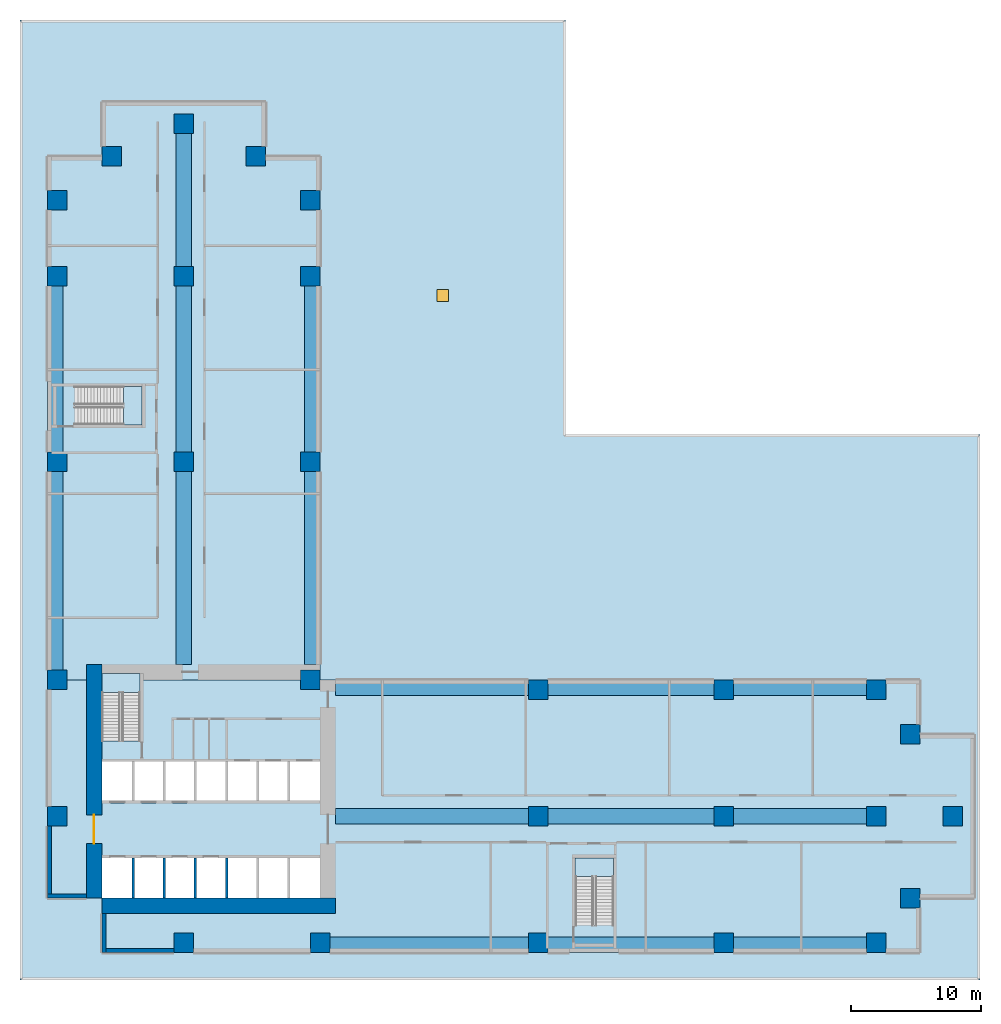
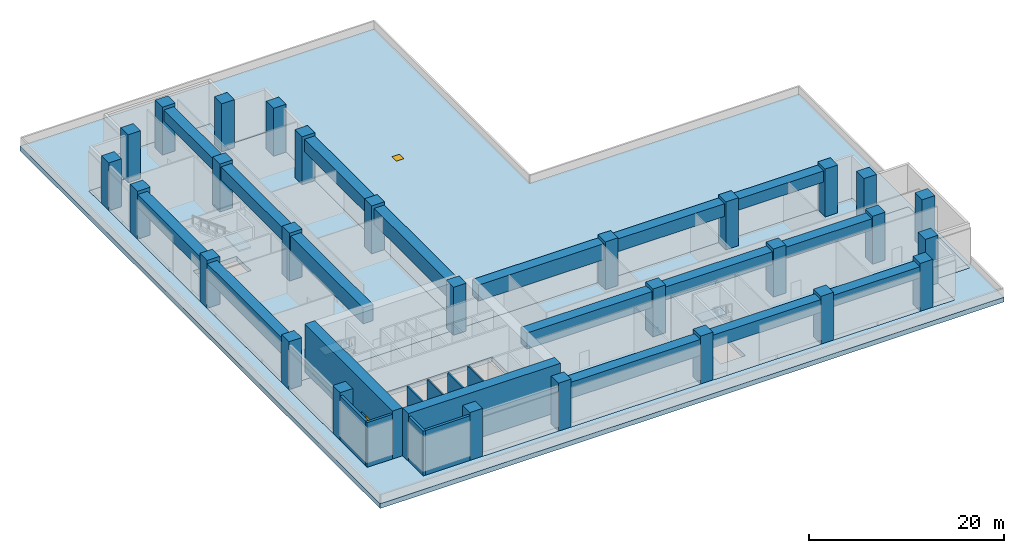
# One storey, part 1 of 11: 28 columns, 16 beams, 10 walls, 6 slabs, 1 door, 1 window, 2 openings, 3 elements without a shape of their own.
"""IFC4 building model written with IfcOpenShell, lengths in metres."""

from ifc_helpers import new_model, si_unit, direction, frame, frame_2d, origin, origin_2d, place, context, subcontext, project, spatial, polyline, rectangle, outline, extrude, source, transform, mapped, material, layer, layer_set, material_profile, profile_set, type_object, element, fill, aggregate, save


model = new_model("IFC4")

# Units and contexts
model_context = context("Model", 3, precision=1e-05, world=origin(), true_north=direction((0.0, 1.0)))
body_context = subcontext(model_context, "Body", "Model", "MODEL_VIEW")
ifc_project = project(units=[si_unit("LENGTHUNIT", "METRE"), si_unit("AREAUNIT", "SQUARE_METRE"), si_unit("VOLUMEUNIT", "CUBIC_METRE"), si_unit("PLANEANGLEUNIT", "RADIAN"), si_unit("MASSUNIT", "GRAM", prefix="KILO")], contexts=[model_context])

# Site, building, storey
site_placement = place(None, origin())
site = spatial("IfcSite", under=ifc_project, at=site_placement, CompositionType="ELEMENT")
building_placement = place(site_placement, origin())
building = spatial("IfcBuilding", under=site, at=building_placement, Name="Aurelian Terraces", CompositionType="ELEMENT")
storey_placement = place(building_placement, frame((0.0, 0.0, 34.5)))
storey = spatial("IfcBuildingStorey", under=building, at=storey_placement, Name="L06", CompositionType="ELEMENT", Elevation=34.5)

# Columns
ifc_material_1 = material(Name="Concrete fc' 83 MPa", Category="concrete")
ifc_material_profile_1 = material_profile(ifc_material_1, rectangle(XDim=1.5, YDim=1.5, at=origin_2d()))
ifc_profile_set_1 = profile_set([ifc_material_profile_1], Name="Concrete fc' 83 MPa")
column_type = type_object("IfcColumnType", Name="RC COLUMN 1500X1500 FC83", PredefinedType="COLUMN", material=ifc_profile_set_1)
column_placement = place(storey_placement, frame((0.75, 10.5, 0.0), z_axis=(0.0, 0.0, 1.0), x_axis=(1.0, 0.0, 0.0)))
element("IfcColumn", 1, at=column_placement, inside=storey, type_object=column_type, Name="Column 1/B L06", PredefinedType="COLUMN", context=body_context, shape_type="SweptSolid", body=[
    extrude(rectangle(XDim=1.5, YDim=1.5, at=origin_2d()), origin(), (0.0, 0.0, 1.0), 6.0),
])
shared_shape_1 = source(origin(), body_context, "Body", "SweptSolid", [
    extrude(rectangle(XDim=1.5, YDim=1.5, at=origin_2d()), origin(), (0.0, 0.0, 1.0), 6.0),
])
for number, where, z_axis, x_axis, name in (
    (2, (0.75, 21.0, 0.0), (0.0, 0.0, 1.0), (1.0, 0.0, 0.0), "Column 1/C L06"),
    (3, (0.75, 37.8, 0.0), (0.0, 0.0, 1.0), (1.0, 0.0, 0.0), "Column 1/E L06"),
    (4, (0.75, 52.08, 0.0), (0.0, 0.0, 1.0), (1.0, 0.0, 0.0), "Column 1/G L06"),
    (5, (0.75, 57.96, 0.0), (0.0, 0.0, 1.0), (1.0, 0.0, 0.0), "Column 1/H L06"),
    (6, (4.95, 61.32, 0.0), (0.0, 0.0, 1.0), (1.0, 0.0, 0.0), "Column 4.95/61.32 L06"),
    (7, (10.5, 0.75, 0.0), (0.0, 0.0, 1.0), (1.0, 0.0, 0.0), "Column 2/A L06"),
    (8, (10.5, 37.8, 0.0), (0.0, 0.0, 1.0), (1.0, 0.0, 0.0), "Column 2/E L06"),
    (9, (10.5, 52.08, 0.0), (0.0, 0.0, 1.0), (1.0, 0.0, 0.0), "Column 2/G L06"),
    (10, (10.5, 63.84, 0.0), (0.0, 0.0, 1.0), (1.0, 0.0, 0.0), "Column 2/I L06"),
    (11, (16.05, 61.32, 0.0), (0.0, 0.0, 1.0), (1.0, 0.0, 0.0), "Column 16.05/61.32 L06"),
    (12, (21.0, 0.75, 0.0), (0.0, 0.0, 1.0), (1.0, 0.0, 0.0), "Column 3/A L06"),
    (13, (20.25, 21.0, 0.0), (0.0, 0.0, 1.0), (1.0, 0.0, 0.0), "Column 3/C L06"),
    (14, (20.25, 37.8, 0.0), (0.0, 0.0, 1.0), (1.0, 0.0, 0.0), "Column 3/E L06"),
    (15, (20.25, 52.08, 0.0), (0.0, 0.0, 1.0), (1.0, 0.0, 0.0), "Column 3/G L06"),
    (16, (20.25, 57.96, 0.0), (0.0, 0.0, 1.0), (1.0, 0.0, 0.0), "Column 3/H L06"),
    (17, (37.8, 0.75, 0.0), (0.0, 0.0, 1.0), (1.0, 0.0, 0.0), "Column 5/A L06"),
    (18, (37.8, 10.5, 0.0), (0.0, 0.0, 1.0), (1.0, 0.0, 0.0), "Column 5/B L06"),
    (19, (37.8, 20.25, 0.0), (0.0, 0.0, 1.0), (1.0, 0.0, 0.0), "Column 5/C L06"),
    (20, (52.08, 0.75, 0.0), (0.0, 0.0, 1.0), (1.0, 0.0, 0.0), "Column 7/A L06"),
    (21, (52.08, 10.5, 0.0), (0.0, 0.0, 1.0), (1.0, 0.0, 0.0), "Column 7/B L06"),
    (22, (52.08, 20.25, 0.0), (0.0, 0.0, 1.0), (1.0, 0.0, 0.0), "Column 7/C L06"),
    (23, (63.84, 0.75, 0.0), (0.0, 0.0, 1.0), (1.0, 0.0, 0.0), "Column 9/A L06"),
    (24, (63.84, 10.5, 0.0), (0.0, 0.0, 1.0), (1.0, 0.0, 0.0), "Column 9/B L06"),
    (25, (63.84, 20.25, 0.0), (0.0, 0.0, 1.0), (1.0, 0.0, 0.0), "Column 9/C L06"),
    (26, (66.45, 4.2, 0.0), (0.0, 0.0, 1.0), (1.0, 0.0, 0.0), "Column 66.45/4.20 L06"),
    (27, (66.45, 16.8, 0.0), (0.0, 0.0, 1.0), (1.0, 0.0, 0.0), "Column 66.45/16.80 L06"),
    (28, (69.72, 10.5, 0.0), (0.0, 0.0, 1.0), (1.0, 0.0, 0.0), "Column 10/B L06"),
):
    element("IfcColumn", number, at=place(storey_placement, frame(where, z_axis=z_axis, x_axis=x_axis)), inside=storey, type_object=column_type, Name=name, PredefinedType="COLUMN", context=body_context, shape_type="MappedRepresentation", body=[
        mapped(shared_shape_1, transform((0.0, 0.0, 0.0), scale=1.0)),
    ])

# Beams
ifc_material_2 = material(Name="Concrete fc' 70 MPa", Category="concrete")
ifc_material_profile_2 = material_profile(ifc_material_2, rectangle(XDim=1.2, YDim=1.4, at=origin_2d()))
ifc_profile_set_2 = profile_set([ifc_material_profile_2], Name="Concrete fc' 70 MPa")
beam_type_1 = type_object("IfcBeamType", Name="CONCRETE TRANSFER GIRDER 1200X1400", PredefinedType="BEAM", material=ifc_profile_set_2)
beam_1_placement = place(storey_placement, frame((52.83, 0.6, 4.9), z_axis=(1.0, 0.0, 0.0), x_axis=(0.0, 1.0, 0.0)))
element("IfcBeam", 29, at=beam_1_placement, inside=storey, type_object=beam_type_1, Name="Transfer girder 3", PredefinedType="BEAM", context=body_context, shape_type="SweptSolid", body=[
    extrude(rectangle(XDim=1.2, YDim=1.4, at=origin_2d()), origin(), (0.0, 0.0, 1.0), 10.26),
])
ifc_material_profile_3 = material_profile(ifc_material_2, rectangle(XDim=1.2, YDim=1.6, at=origin_2d()))
ifc_profile_set_3 = profile_set([ifc_material_profile_3], Name="Concrete fc' 70 MPa")
beam_type_2 = type_object("IfcBeamType", Name="CONCRETE TRANSFER GIRDER 1200X1600", PredefinedType="BEAM", material=ifc_profile_set_3)
beam_2_placement = place(storey_placement, frame((38.55, 0.6, 4.8), z_axis=(1.0, 0.0, 0.0), x_axis=(0.0, 1.0, 0.0)))
element("IfcBeam", 30, at=beam_2_placement, inside=storey, type_object=beam_type_2, Name="Transfer girder 2", PredefinedType="BEAM", context=body_context, shape_type="SweptSolid", body=[
    extrude(rectangle(XDim=1.2, YDim=1.6, at=origin_2d()), origin(), (0.0, 0.0, 1.0), 12.78),
])
ifc_material_profile_4 = material_profile(ifc_material_2, rectangle(XDim=1.2, YDim=2.0, at=origin_2d()))
ifc_profile_set_4 = profile_set([ifc_material_profile_4], Name="Concrete fc' 70 MPa")
beam_type_3 = type_object("IfcBeamType", Name="CONCRETE TRANSFER GIRDER 1200X2000", PredefinedType="BEAM", material=ifc_profile_set_4)
beam_3_placement = place(storey_placement, frame((21.75, 0.6, 4.6), z_axis=(1.0, 0.0, 0.0), x_axis=(0.0, 1.0, 0.0)))
element("IfcBeam", 31, at=beam_3_placement, inside=storey, type_object=beam_type_3, Name="Transfer girder 1", PredefinedType="BEAM", context=body_context, shape_type="SweptSolid", body=[
    extrude(rectangle(XDim=1.2, YDim=2.0, at=origin_2d()), origin(), (0.0, 0.0, 1.0), 15.3),
])
beam_4_placement = place(storey_placement, frame((22.2, 10.5, 4.6), z_axis=(1.0, 0.0, 0.0), x_axis=(0.0, 1.0, 0.0)))
element("IfcBeam", 32, at=beam_4_placement, inside=storey, type_object=beam_type_3, Name="Transfer girder 4", PredefinedType="BEAM", context=body_context, shape_type="SweptSolid", body=[
    extrude(rectangle(XDim=1.2, YDim=2.0, at=origin_2d()), origin(), (0.0, 0.0, 1.0), 14.85),
])
shared_shape_2 = source(origin(), body_context, "Body", "SweptSolid", [
    extrude(rectangle(XDim=1.2, YDim=1.6, at=origin_2d()), origin(), (0.0, 0.0, 1.0), 12.78),
])
for number, where, z_axis, x_axis, name in (
    (33, (38.55, 10.5, 4.8), (1.0, 0.0, 0.0), (0.0, 1.0, 0.0), "Transfer girder 5"),
    (34, (38.55, 20.4, 4.8), (1.0, 0.0, 0.0), (0.0, 1.0, 0.0), "Transfer girder 8"),
    (35, (0.6, 38.55, 4.8), (0.0, 1.0, 0.0), (-1.0, 0.0, 0.0), "Transfer girder 11"),
    (36, (10.5, 38.55, 4.8), (0.0, 1.0, 0.0), (-1.0, 0.0, 0.0), "Transfer girder 13"),
    (37, (20.4, 38.55, 4.8), (0.0, 1.0, 0.0), (-1.0, 0.0, 0.0), "Transfer girder 16"),
):
    element("IfcBeam", number, at=place(storey_placement, frame(where, z_axis=z_axis, x_axis=x_axis)), inside=storey, type_object=beam_type_2, Name=name, PredefinedType="BEAM", context=body_context, shape_type="MappedRepresentation", body=[
        mapped(shared_shape_2, transform((0.0, 0.0, 0.0), scale=1.0)),
    ])
shared_shape_3 = source(origin(), body_context, "Body", "SweptSolid", [
    extrude(rectangle(XDim=1.2, YDim=1.4, at=origin_2d()), origin(), (0.0, 0.0, 1.0), 10.26),
])
for number, where, z_axis, x_axis, name in (
    (38, (52.83, 10.5, 4.9), (1.0, 0.0, 0.0), (0.0, 1.0, 0.0), "Transfer girder 6"),
    (39, (52.83, 20.4, 4.9), (1.0, 0.0, 0.0), (0.0, 1.0, 0.0), "Transfer girder 9"),
    (40, (10.5, 52.83, 4.9), (0.0, 1.0, 0.0), (-1.0, 0.0, 0.0), "Transfer girder 14"),
):
    element("IfcBeam", number, at=place(storey_placement, frame(where, z_axis=z_axis, x_axis=x_axis)), inside=storey, type_object=beam_type_1, Name=name, PredefinedType="BEAM", context=body_context, shape_type="MappedRepresentation", body=[
        mapped(shared_shape_3, transform((0.0, 0.0, 0.0), scale=1.0)),
    ])
shared_shape_4 = source(origin(), body_context, "Body", "SweptSolid", [
    extrude(rectangle(XDim=1.2, YDim=2.0, at=origin_2d()), origin(), (0.0, 0.0, 1.0), 14.85),
])
for number, where, z_axis, x_axis, name in (
    (41, (22.2, 20.4, 4.6), (1.0, 0.0, 0.0), (0.0, 1.0, 0.0), "Transfer girder 7"),
    (42, (10.5, 22.2, 4.6), (0.0, 1.0, 0.0), (-1.0, 0.0, 0.0), "Transfer girder 12"),
    (43, (20.4, 22.2, 4.6), (0.0, 1.0, 0.0), (-1.0, 0.0, 0.0), "Transfer girder 15"),
):
    element("IfcBeam", number, at=place(storey_placement, frame(where, z_axis=z_axis, x_axis=x_axis)), inside=storey, type_object=beam_type_3, Name=name, PredefinedType="BEAM", context=body_context, shape_type="MappedRepresentation", body=[
        mapped(shared_shape_4, transform((0.0, 0.0, 0.0), scale=1.0)),
    ])
shared_shape_5 = source(origin(), body_context, "Body", "SweptSolid", [
    extrude(rectangle(XDim=1.2, YDim=2.0, at=origin_2d()), origin(), (0.0, 0.0, 1.0), 15.3),
])
beam_5_placement = place(storey_placement, frame((0.6, 21.75, 4.6), z_axis=(0.0, 1.0, 0.0), x_axis=(-1.0, 0.0, 0.0)))
element("IfcBeam", 44, at=beam_5_placement, inside=storey, type_object=beam_type_3, Name="Transfer girder 10", PredefinedType="BEAM", context=body_context, shape_type="MappedRepresentation", body=[
    mapped(shared_shape_5, transform((0.0, 0.0, 0.0), scale=1.0)),
])

# Slabs
ifc_material_3 = material(Name="Concrete fc' 40 MPa", Category="concrete")
ifc_layer_1 = layer(ifc_material_3, 0.6)
ifc_layer_set_1 = layer_set([ifc_layer_1], Name="PT FLAT PLATE 600")
slab_type_1 = type_object("IfcSlabType", Name="PT FLAT PLATE 600", PredefinedType="FLOOR", material=ifc_layer_set_1)
slab_1_placement = place(storey_placement, frame((0.0, 0.0, -0.6)))
element("IfcSlab", 45, at=slab_1_placement, inside=storey, type_object=slab_type_1, Name="Floor slab S L06", PredefinedType="FLOOR", context=body_context, shape_type="SweptSolid", body=[
    extrude(outline(polyline([(67.2, 16.8), (71.4, 16.8), (71.4, 4.2), (67.2, 4.2), (67.2, 0.0), (21.0, 0.0), (4.2, 0.0), (4.2, 4.2), (0.0, 4.2), (0.0, 21.0), (4.21, 21.0), (4.21, 16.31), (7.14, 16.31), (7.14, 21.0), (21.0, 21.0), (67.2, 21.0), (67.2, 16.8)]), holes=[polyline([(40.66, 2.11), (43.59, 2.11), (43.59, 7.29), (40.66, 7.29), (40.66, 2.11)]), polyline([(4.21, 7.49), (4.21, 4.21), (20.99, 4.21), (20.99, 7.49), (4.21, 7.49)]), polyline([(4.21, 14.89), (4.21, 11.51), (20.99, 11.51), (20.99, 14.89), (4.21, 14.89)])]), origin(), (0.0, 0.0, 1.0), 0.6),
])
slab_2_placement = place(storey_placement, frame((0.0, 0.0, -0.6)))
element("IfcSlab", 46, at=slab_2_placement, inside=storey, type_object=slab_type_1, Name="Floor slab W L06", PredefinedType="FLOOR", context=body_context, shape_type="SweptSolid", body=[
    extrude(outline(polyline([(7.14, 21.0), (7.14, 21.49), (4.21, 21.49), (4.21, 21.0), (0.0, 21.0), (0.0, 61.32), (4.2, 61.32), (4.2, 65.52), (16.8, 65.52), (16.8, 61.32), (21.0, 61.32), (21.0, 21.0), (7.14, 21.0)]), holes=[polyline([(7.29, 43.59), (2.11, 43.59), (2.11, 40.66), (7.29, 40.66), (7.29, 43.59)])]), origin(), (0.0, 0.0, 1.0), 0.6),
])

# Slab, opening, window
ifc_layer_2 = layer(ifc_material_3, 0.6)
ifc_layer_set_2 = layer_set([ifc_layer_2], Name="Roof slab 600")
slab_type_2 = type_object("IfcSlabType", Name="Roof slab 600", PredefinedType="ROOF", material=ifc_layer_set_2)
slab_3_placement = place(storey_placement, frame((0.0, 0.0, -0.6)))
slab_3 = element("IfcSlab", 47, at=slab_3_placement, inside=storey, type_object=slab_type_2, Name="Roof slab L06 L06-X1", PredefinedType="ROOF", context=body_context, shape_type="SweptSolid", body=[
    extrude(outline(polyline([(71.82, -2.1), (39.9, -2.1), (-2.1, -2.1), (-2.1, 39.9), (-2.1, 71.82), (39.9, 71.82), (39.9, 39.9), (71.82, 39.9), (71.82, -2.1)]), holes=[polyline([(67.2, 21.0), (21.0, 21.0), (21.0, 61.32), (16.8, 61.32), (16.8, 65.52), (4.2, 65.52), (4.2, 61.32), (0.0, 61.32), (0.0, 21.0), (0.0, 4.2), (4.2, 4.2), (4.2, 0.0), (21.0, 0.0), (67.2, 0.0), (67.2, 4.2), (71.4, 4.2), (71.4, 16.8), (67.2, 16.8), (67.2, 21.0)])]), origin(), (0.0, 0.0, 1.0), 0.6),
])
opening_1_placement = place(slab_3_placement, frame((30.45, 50.61, 0.0)))
opening_1 = element("IfcOpeningElement", 48, at=opening_1_placement, cuts=slab_3, Name="Opening RH1", PredefinedType="OPENING", context=body_context, shape_type="SweptSolid", body=[
    extrude(rectangle(XDim=0.9, YDim=0.9, at=origin_2d()), frame((0.0, 0.0, -0.01)), (0.0, 0.0, 1.0), 0.62),
])
ifc_material_4 = material(Name="Clear glazing", Category="glass")
window_type = type_object("IfcWindowType", Name="ROOF HATCH", PartitioningType="SINGLE_PANEL", PredefinedType="SKYLIGHT", material=ifc_material_4)
window_placement = place(opening_1_placement, frame((0.0, 0.0, 0.55)))
window = element("IfcWindow", 49, at=window_placement, inside=storey, type_object=window_type, Name="Roof access hatch L06", OverallHeight=0.9, OverallWidth=0.9, PartitioningType="SINGLE_PANEL", PredefinedType="SKYLIGHT", context=body_context, shape_type="SweptSolid", body=[
    extrude(rectangle(XDim=0.9, YDim=0.9, at=origin_2d()), origin(), (0.0, 0.0, 1.0), 0.05),
])
fill(opening_1, window)

# Stair, slab
stair_type = type_object("IfcStairType", Name="Stair 1400", PredefinedType="HALF_TURN_STAIR", material=ifc_material_3)
stair_1_placement = place(storey_placement, origin())
stair_1 = element("IfcStair", 50, at=stair_1_placement, inside=storey, type_object=stair_type, Name="L06 S1", PredefinedType="HALF_TURN_STAIR")
ifc_layer_3 = layer(ifc_material_3, 0.2)
ifc_layer_set_3 = layer_set([ifc_layer_3], Name="Stair landing 200")
slab_type_3 = type_object("IfcSlabType", Name="Stair landing 200", PredefinedType="LANDING", material=ifc_layer_set_3)
slab_4_placement = place(storey_placement, frame((0.0, 0.0, 2.8)))
slab_4 = element("IfcSlab", 51, at=slab_4_placement, type_object=slab_type_3, Name="S1 landing 1", PredefinedType="LANDING", context=body_context, shape_type="SweptSolid", body=[
    extrude(outline(polyline([(7.15, 20.05), (7.15, 21.5), (4.2, 21.5), (4.2, 20.05), (7.15, 20.05)])), origin(), (0.0, 0.0, 1.0), 0.2),
])
aggregate(stair_1, [slab_4])

stair_2_placement = place(storey_placement, origin())
stair_2 = element("IfcStair", 52, at=stair_2_placement, inside=storey, type_object=stair_type, Name="L06 S2", PredefinedType="HALF_TURN_STAIR")
slab_5_placement = place(storey_placement, frame((0.0, 0.0, 2.8)))
slab_5 = element("IfcSlab", 53, at=slab_5_placement, type_object=slab_type_3, Name="S2 landing 1", PredefinedType="LANDING", context=body_context, shape_type="SweptSolid", body=[
    extrude(outline(polyline([(43.6, 5.85), (43.6, 7.3), (40.65, 7.3), (40.65, 5.85), (43.6, 5.85)])), origin(), (0.0, 0.0, 1.0), 0.2),
])
aggregate(stair_2, [slab_5])

stair_3_placement = place(storey_placement, origin())
stair_3 = element("IfcStair", 54, at=stair_3_placement, inside=storey, type_object=stair_type, Name="L06 S3", PredefinedType="HALF_TURN_STAIR")
slab_6_placement = place(storey_placement, frame((0.0, 0.0, 2.8)))
slab_6 = element("IfcSlab", 55, at=slab_6_placement, type_object=slab_type_3, Name="S3 landing 1", PredefinedType="LANDING", context=body_context, shape_type="SweptSolid", body=[
    extrude(outline(polyline([(5.85, 40.65), (7.3, 40.65), (7.3, 43.6), (5.85, 43.6), (5.85, 40.65)])), origin(), (0.0, 0.0, 1.0), 0.2),
])
aggregate(stair_3, [slab_6])

# Wall, opening, door
ifc_layer_4 = layer(ifc_material_1, 1.2)
ifc_layer_set_4 = layer_set([ifc_layer_4], Name="CORE WALL 1200 FC83")
wall_type_1 = type_object("IfcWallType", Name="CORE WALL 1200 FC83", PredefinedType="SHEAR", material=ifc_layer_set_4)
wall_1_placement = place(storey_placement, frame((3.6, 4.2, 0.0), z_axis=(0.0, 0.0, 1.0), x_axis=(0.0, 1.0, 0.0)))
wall_1 = element("IfcWall", 56, at=wall_1_placement, inside=storey, type_object=wall_type_1, Name="Core wall W L06", PredefinedType="SHEAR", context=body_context, shape_type="SweptSolid", body=[
    extrude(rectangle(XDim=18.0, YDim=1.2, at=frame_2d((9.0, 0.0))), origin(), (0.0, 0.0, 1.0), 6.0),
])
shared_shape_6 = source(origin(), body_context, "Body", "SweptSolid", [
    extrude(rectangle(XDim=2.2, YDim=2.1, at=frame_2d((1.1, 1.05))), frame((0.0, 0.61, 0.0), z_axis=(0.0, -1.0, 0.0), x_axis=(1.0, 0.0, 0.0)), (0.0, 0.0, 1.0), 1.22),
])
opening_2_placement = place(wall_1_placement, frame((4.2, 0.0, 0.0)))
opening_2 = element("IfcOpeningElement", 57, at=opening_2_placement, cuts=wall_1, Name="Opening 60922", PredefinedType="OPENING", context=body_context, shape_type="MappedRepresentation", body=[
    mapped(shared_shape_6, transform((0.0, 0.0, 0.0), scale=1.0)),
])
ifc_material_5 = material(Name="Steel door leaf", Category="steel")
door_type = type_object("IfcDoorType", Name="Core double door 2200x2100", OperationType="DOUBLE_DOOR_SINGLE_SWING", PredefinedType="DOOR", material=ifc_material_5)
shared_shape_7 = source(origin(), body_context, "Body", "SweptSolid", [
    extrude(rectangle(XDim=2.2, YDim=2.1, at=frame_2d((1.1, 1.05))), frame((0.0, 0.025, 0.0), z_axis=(0.0, -1.0, 0.0), x_axis=(1.0, 0.0, 0.0)), (0.0, 0.0, 1.0), 0.05),
])
door_placement = place(opening_2_placement, origin())
door = element("IfcDoor", 58, at=door_placement, inside=storey, type_object=door_type, Name="Core door 60922", OperationType="DOUBLE_DOOR_SINGLE_SWING", OverallHeight=2.1, OverallWidth=2.2, PredefinedType="DOOR", context=body_context, shape_type="MappedRepresentation", body=[
    mapped(shared_shape_7, transform((0.0, 0.0, 0.0), scale=1.0)),
])
fill(opening_2, door)

# Walls
ifc_material_6 = material(Name="Terracotta rainscreen cladding", Category="masonry")
ifc_layer_5 = layer(ifc_material_6, 0.3)
ifc_layer_set_5 = layer_set([ifc_layer_5], Name="EW-300")
wall_type_2 = type_object("IfcWallType", Name="EW-300", PredefinedType="STANDARD", material=ifc_layer_set_5)
wall_2_placement = place(storey_placement, frame((4.2, 0.15, 0.0), z_axis=(0.0, 0.0, 1.0), x_axis=(1.0, 0.0, 0.0)))
element("IfcWall", 59, at=wall_2_placement, inside=storey, type_object=wall_type_2, Name="External wall L06 F01.1", PredefinedType="STANDARD", context=body_context, shape_type="SweptSolid", body=[
    extrude(rectangle(XDim=5.55, YDim=0.3, at=frame_2d((2.775, 0.0))), origin(), (0.0, 0.0, 1.0), 5.6),
])
wall_3_placement = place(storey_placement, frame((0.0, 4.35, 0.0), z_axis=(0.0, 0.0, 1.0), x_axis=(1.0, 0.0, 0.0)))
element("IfcWall", 60, at=wall_3_placement, inside=storey, type_object=wall_type_2, Name="External wall L06 F15.1", PredefinedType="STANDARD", context=body_context, shape_type="SweptSolid", body=[
    extrude(rectangle(XDim=3.0, YDim=0.3, at=frame_2d((1.5, 0.0))), origin(), (0.0, 0.0, 1.0), 5.6),
])
ifc_layer_6 = layer(ifc_material_3, 0.2)
ifc_layer_set_6 = layer_set([ifc_layer_6], Name="Lift shaft wall 200")
wall_type_3 = type_object("IfcWallType", Name="Lift shaft wall 200", PredefinedType="SOLIDWALL", material=ifc_layer_set_6)
wall_4_placement = place(storey_placement, frame((6.6, 4.2, 0.0), z_axis=(0.0, 0.0, 1.0), x_axis=(0.0, 1.0, 0.0)))
element("IfcWall", 61, at=wall_4_placement, inside=storey, type_object=wall_type_3, Name="L06 core wall CD-A1", PredefinedType="SOLIDWALL", context=body_context, shape_type="SweptSolid", body=[
    extrude(rectangle(XDim=3.1, YDim=0.2, at=frame_2d((1.55, 0.0))), origin(), (0.0, 0.0, 1.0), 6.0),
])
shared_shape_8 = source(origin(), body_context, "Body", "SweptSolid", [
    extrude(rectangle(XDim=18.0, YDim=1.2, at=frame_2d((9.0, 0.0))), origin(), (0.0, 0.0, 1.0), 6.0),
])
wall_5_placement = place(storey_placement, frame((4.2, 3.6, 0.0), z_axis=(0.0, 0.0, 1.0), x_axis=(1.0, 0.0, 0.0)))
element("IfcWall", 62, at=wall_5_placement, inside=storey, type_object=wall_type_1, Name="Core wall S L06", PredefinedType="SHEAR", context=body_context, shape_type="MappedRepresentation", body=[
    mapped(shared_shape_8, transform((0.0, 0.0, 0.0), scale=1.0)),
])
shared_shape_9 = source(origin(), body_context, "Body", "SweptSolid", [
    extrude(rectangle(XDim=5.55, YDim=0.3, at=frame_2d((2.775, 0.0))), origin(), (0.0, 0.0, 1.0), 5.6),
])
wall_6_placement = place(storey_placement, frame((0.15, 9.75, 0.0), z_axis=(0.0, 0.0, 1.0), x_axis=(0.0, -1.0, 0.0)))
element("IfcWall", 63, at=wall_6_placement, inside=storey, type_object=wall_type_2, Name="External wall L06 F14.8", PredefinedType="STANDARD", context=body_context, shape_type="MappedRepresentation", body=[
    mapped(shared_shape_9, transform((0.0, 0.0, 0.0), scale=1.0)),
])
shared_shape_10 = source(origin(), body_context, "Body", "SweptSolid", [
    extrude(rectangle(XDim=3.0, YDim=0.3, at=frame_2d((1.5, 0.0))), origin(), (0.0, 0.0, 1.0), 5.6),
])
wall_7_placement = place(storey_placement, frame((4.35, 3.0, 0.0), z_axis=(0.0, 0.0, 1.0), x_axis=(0.0, -1.0, 0.0)))
element("IfcWall", 64, at=wall_7_placement, inside=storey, type_object=wall_type_2, Name="External wall L06 F16.1", PredefinedType="STANDARD", context=body_context, shape_type="MappedRepresentation", body=[
    mapped(shared_shape_10, transform((0.0, 0.0, 0.0), scale=1.0)),
])
shared_shape_11 = source(origin(), body_context, "Body", "SweptSolid", [
    extrude(rectangle(XDim=3.1, YDim=0.2, at=frame_2d((1.55, 0.0))), origin(), (0.0, 0.0, 1.0), 6.0),
])
for number, where, z_axis, x_axis, name in (
    (65, (9.0, 4.2, 0.0), (0.0, 0.0, 1.0), (0.0, 1.0, 0.0), "L06 core wall CD-A2"),
    (66, (11.4, 4.2, 0.0), (0.0, 0.0, 1.0), (0.0, 1.0, 0.0), "L06 core wall CD-A3"),
    (67, (13.8, 4.2, 0.0), (0.0, 0.0, 1.0), (0.0, 1.0, 0.0), "L06 core wall CD-A4"),
):
    element("IfcWall", number, at=place(storey_placement, frame(where, z_axis=z_axis, x_axis=x_axis)), inside=storey, type_object=wall_type_3, Name=name, PredefinedType="SOLIDWALL", context=body_context, shape_type="MappedRepresentation", body=[
        mapped(shared_shape_11, transform((0.0, 0.0, 0.0), scale=1.0)),
    ])

save(model, "model.ifc")
